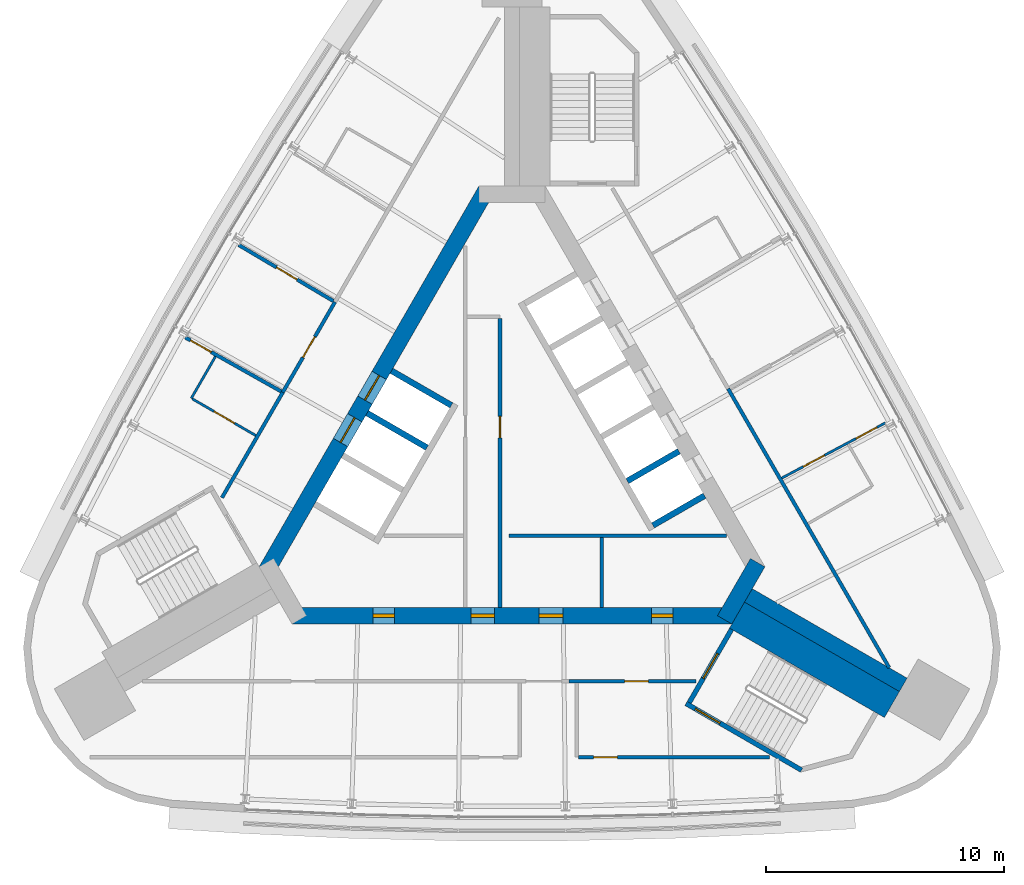
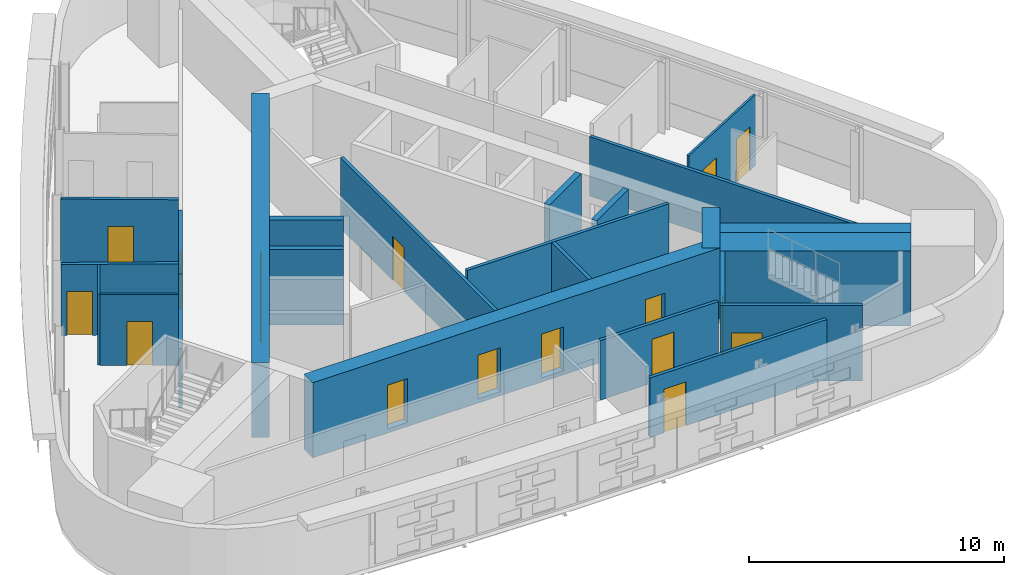
# One storey, part 6 of 9: 24 walls, 17 doors, 17 openings.
"""IFC4 building model written with IfcOpenShell, lengths in metres."""

import ifcopenshell
import ifcopenshell.guid

model = None  # the IFC model being written
_history = None  # IfcOwnerHistory: only IFC2X3 demands one
_inside = {}  # id of a spatial element -> (the spatial element, [elements in it])
_under = {}  # id of a project, library or spatial element -> (it, [spatial elements below it])
_declared = {}  # id of a project -> (the project, [libraries it declares])
_typed = {}  # id of a type object -> (the type object, [elements of that type])
_made_of = {}  # id of a material, layer set ... -> (it, [elements and type objects made of it])


def new_model(schema):
    """Start an empty IFC model of exactly this schema.

    Asked for "IFC4X3", IfcOpenShell would pick the latest addendum, in which some entities
    have other attributes; the version numbers below select the first issue.
    IFC2X3 requires an IfcOwnerHistory on every rooted entity: one is made here for all.
    """
    global model, _history
    if schema == "IFC4X3":
        model = ifcopenshell.file(schema_version=(4, 3, 0, 0))
    else:
        model = ifcopenshell.file(schema=schema)
    _inside.clear()
    _under.clear()
    _declared.clear()
    _typed.clear()
    _made_of.clear()
    _history = None
    if model.schema == "IFC2X3":
        org = make("IfcOrganization", Name="unknown")
        user = make(
            "IfcPersonAndOrganization",
            ThePerson=make("IfcPerson", FamilyName="unknown"),
            TheOrganization=org,
        )
        app = make(
            "IfcApplication",
            ApplicationDeveloper=org,
            Version="unknown",
            ApplicationFullName="unknown",
            ApplicationIdentifier="unknown",
        )
        _history = make(
            "IfcOwnerHistory",
            OwningUser=user,
            OwningApplication=app,
            ChangeAction="ADDED",
            CreationDate=0,
        )
    return model


def make(cls, **values):
    """One entity of the class cls with the attributes given. An attribute that is None is left unset."""
    return model.create_entity(
        cls, **{name: value for name, value in values.items() if value is not None}
    )


def rooted(cls, **values):
    """An entity with a GlobalId (a new one), such as an element, a storey or a relation."""
    return make(cls, GlobalId=ifcopenshell.guid.new(), OwnerHistory=_history, **values)


def si_unit(unit_type, name, prefix=None):
    """IfcSIUnit, for example si_unit("LENGTHUNIT", "METRE", prefix="MILLI")."""
    return make("IfcSIUnit", UnitType=unit_type, Prefix=prefix, Name=name)


def assignment(units):
    """IfcUnitAssignment: the units of a project."""
    return None if units is None else make("IfcUnitAssignment", Units=units)


def point(xyz):
    """IfcCartesianPoint."""
    return None if xyz is None else make("IfcCartesianPoint", Coordinates=xyz)


def direction(xyz):
    """IfcDirection."""
    return None if xyz is None else make("IfcDirection", DirectionRatios=xyz)


def frame(location, z_axis=None, x_axis=None):
    """IfcAxis2Placement3D, a coordinate frame: its origin and axes. An axis left out is left unset."""
    return make(
        "IfcAxis2Placement3D",
        Location=point(location),
        Axis=direction(z_axis),
        RefDirection=direction(x_axis),
    )


def frame_2d(location, x_axis=None):
    """IfcAxis2Placement2D, a coordinate frame in the plane: its origin and x axis."""
    return make(
        "IfcAxis2Placement2D", Location=point(location), RefDirection=direction(x_axis)
    )


def origin():
    """The frame at (0, 0, 0) with its axes left unset."""
    return frame((0.0, 0.0, 0.0))


def place(relative_to, where):
    """IfcLocalPlacement: puts the frame where relative to a parent placement (None: the world)."""
    return make(
        "IfcLocalPlacement", PlacementRelTo=relative_to, RelativePlacement=where
    )


def context(
    kind, dimensions, precision=None, world=None, true_north=None, identifier=None
):
    """IfcGeometricRepresentationContext, for example the 3D "Model" context."""
    return make(
        "IfcGeometricRepresentationContext",
        ContextIdentifier=identifier,
        ContextType=kind,
        CoordinateSpaceDimension=dimensions,
        Precision=precision,
        WorldCoordinateSystem=world,
        TrueNorth=true_north,
    )


def subcontext(parent, identifier, kind, view, scale=None):
    """IfcGeometricRepresentationSubContext, for example "Body" below "Model"."""
    return make(
        "IfcGeometricRepresentationSubContext",
        ContextIdentifier=identifier,
        ContextType=kind,
        ParentContext=parent,
        TargetScale=scale,
        TargetView=view,
    )


def project(units=None, contexts=None):
    """IfcProject with its units and contexts."""
    return rooted(
        "IfcProject",
        Name="project",
        RepresentationContexts=contexts,
        UnitsInContext=assignment(units),
    )


def spatial(cls, under=None, at=None, **own):
    """A site, building, storey or space (cls), placed at a placement, below another one or the project."""
    s = rooted(cls, ObjectPlacement=at, **own)
    if under is not None:
        _under.setdefault(under.id(), (under, []))[1].append(s)
    return s


def profile(cls, at=None, kind="AREA", **sizes):
    """A parametric profile (cls). Its sizes go by their IFC names, for example OverallWidth=200.0."""
    return make(cls, ProfileType=kind, Position=at, **sizes)


def rectangle(**sizes):
    """IfcRectangleProfileDef."""
    return profile("IfcRectangleProfileDef", **sizes)


def extrude(swept, where, along, depth):
    """IfcExtrudedAreaSolid: the profile swept, set in the frame where, extruded along a direction by depth."""
    return make(
        "IfcExtrudedAreaSolid",
        SweptArea=swept,
        Position=where,
        ExtrudedDirection=direction(along),
        Depth=depth,
    )


def shape(context_of_items, identifier, shape_type, items):
    """IfcShapeRepresentation: the items that make up one representation, for example the "Body"."""
    return make(
        "IfcShapeRepresentation",
        ContextOfItems=context_of_items,
        RepresentationIdentifier=identifier,
        RepresentationType=shape_type,
        Items=items,
    )


def material(Name=None, Category=None):
    """IfcMaterial."""
    return make("IfcMaterial", Name=Name, Category=Category)


def layer(
    of_material, thickness, ventilated=None, Name=None, Category=None, Priority=None
):
    """IfcMaterialLayer: one layer of a wall or slab, of a material (None: an air gap)."""
    return make(
        "IfcMaterialLayer",
        Material=of_material,
        LayerThickness=thickness,
        IsVentilated=ventilated,
        Name=Name,
        Category=Category,
        Priority=Priority,
    )


def layer_set(layers, Name=None):
    """IfcMaterialLayerSet."""
    return make("IfcMaterialLayerSet", MaterialLayers=layers, LayerSetName=Name)


def made_of(thing, what):
    """Note that an element or type object is made of a material, layer set ...; save() writes the relation."""
    if what is not None:
        _made_of.setdefault(what.id(), (what, []))[1].append(thing)
    return thing


def type_object(cls, material=None, **own):
    """A type object (cls), such as IfcWallType, which elements share."""
    return made_of(rooted(cls, **own), material)


def element(
    cls,
    number,
    at=None,
    inside=None,
    cuts=None,
    type_object=None,
    material=None,
    context=None,
    identifier="Body",
    shape_type=None,
    held_by="IfcProductDefinitionShape",
    body=None,
    shapes=None,
    **own,
):
    """One element of the class cls, such as IfcWall. Its Tag is "e" and its number.

    at: its placement. inside: the storey or other place that contains it. cuts: it is an
    opening in that element (IfcRelVoidsElement). A single representation is given by context,
    identifier, shape_type and body (its items); several are given by shapes. held_by: the class
    of the entity that holds the representations. save() writes the other relations.
    """
    e = rooted(cls, Tag="e%d" % number, ObjectPlacement=at, **own)
    if body is not None:
        shapes = [shape(context, identifier, shape_type, body)]
    if shapes is not None:
        e.Representation = make(held_by, Representations=shapes)
    if inside is not None:
        _inside.setdefault(inside.id(), (inside, []))[1].append(e)
    if cuts is not None:
        rooted(
            "IfcRelVoidsElement", RelatingBuildingElement=cuts, RelatedOpeningElement=e
        )
    if type_object is not None:
        _typed.setdefault(type_object.id(), (type_object, []))[1].append(e)
    return made_of(e, material)


def fill(opening, filler):
    """IfcRelFillsElement: the door or window that sits in an opening."""
    return rooted(
        "IfcRelFillsElement",
        RelatingOpeningElement=opening,
        RelatedBuildingElement=filler,
    )


def aggregate(whole, parts):
    """IfcRelAggregates: a whole, such as a stair, and the parts it consists of."""
    return rooted("IfcRelAggregates", RelatingObject=whole, RelatedObjects=parts)


def save(model, path):
    """Write the relations noted so far, then the file.

    IfcRelAggregates (storeys below a building ...), IfcRelContainedInSpatialStructure (elements
    in a storey), IfcRelDefinesByType, IfcRelAssociatesMaterial and IfcRelDeclares: one each for
    every whole, place, type object, material and project.
    """
    for whole, parts in _under.values():
        aggregate(whole, parts)
    for where, things in _inside.values():
        rooted(
            "IfcRelContainedInSpatialStructure",
            RelatedElements=things,
            RelatingStructure=where,
        )
    for kind, things in _typed.values():
        rooted("IfcRelDefinesByType", RelatedObjects=things, RelatingType=kind)
    for what, things in _made_of.values():
        rooted("IfcRelAssociatesMaterial", RelatedObjects=things, RelatingMaterial=what)
    for by, libraries in _declared.values():
        rooted("IfcRelDeclares", RelatingContext=by, RelatedDefinitions=libraries)
    model.write(path)


model = new_model("IFC4")

# Units and contexts
model_context = context("Model", 3, precision=1e-05, world=origin(), true_north=direction((0.0, 1.0)))
body_context = subcontext(model_context, "Body", "Model", "MODEL_VIEW")
ifc_project = project(units=[si_unit("LENGTHUNIT", "METRE"), si_unit("AREAUNIT", "SQUARE_METRE"), si_unit("VOLUMEUNIT", "CUBIC_METRE"), si_unit("PLANEANGLEUNIT", "RADIAN"), si_unit("MASSUNIT", "GRAM", prefix="KILO")], contexts=[model_context])

# Site, building, storey
site_placement = place(None, origin())
site = spatial("IfcSite", under=ifc_project, at=site_placement, CompositionType="ELEMENT")
building_placement = place(site_placement, origin())
building = spatial("IfcBuilding", under=site, at=building_placement, Name="Noor Cloister Tower", CompositionType="ELEMENT")
storey_placement = place(building_placement, frame((0.0, 0.0, 232.800048828125)))
storey = spatial("IfcBuildingStorey", under=building, at=storey_placement, Name="L60", CompositionType="ELEMENT", Elevation=232.800048828125)

# Wall
ifc_material_1 = material(Name="Concrete C60/75", Category="concrete")
ifc_layer_1 = layer(ifc_material_1, 0.64990234375)
ifc_layer_set_1 = layer_set([ifc_layer_1], Name="Buttress wall 650 C60/75")
wall_type_1 = type_object("IfcWallType", Name="Buttress wall 650 C60/75", PredefinedType="SHEAR", material=ifc_layer_set_1)
wall_1_placement = place(storey_placement, frame((9.921630859375, -5.728271484375, -0.199951171875), z_axis=(0.0, 0.0, 1.0), x_axis=(0.866026891245, -0.499997423634, 0.0)))
element("IfcWall", 1, at=wall_1_placement, inside=storey, type_object=wall_type_1, Name="Buttress wall SE L60", PredefinedType="SHEAR", context=body_context, shape_type="SweptSolid", body=[
    extrude(rectangle(XDim=7.50634765625, YDim=0.64990234375, at=frame_2d((3.753173828125, 0.0))), origin(), (0.0, 0.0, 1.0), 3.599853515625),
])

# Wall, opening, door
ifc_material_2 = material(Name="Concrete C30/37", Category="concrete")
ifc_layer_2 = layer(ifc_material_2, 0.14990234375)
ifc_layer_set_2 = layer_set([ifc_layer_2], Name="Core partition 150 C30/37")
wall_type_2 = type_object("IfcWallType", Name="Core partition 150 C30/37", PredefinedType="PARTITIONING", material=ifc_layer_set_2)
wall_2_placement = place(storey_placement, frame((-0.503662109375, 5.896728515625, 0.0), z_axis=(0.0, 0.0, 1.0), x_axis=(0.0, -1.0, 0.0)))
wall_2 = element("IfcWall", 2, at=wall_2_placement, inside=storey, type_object=wall_type_2, Name="Core room partition L60 4", PredefinedType="PARTITIONING", context=body_context, shape_type="SweptSolid", body=[
    extrude(rectangle(XDim=12.125, YDim=0.14990234375, at=frame_2d((6.0625, 0.0))), origin(), (0.0, 0.0, 1.0), 3.39990234375),
])
opening_1_placement = place(wall_2_placement, frame((4.113525390625, 0.0, 0.0)))
opening_1 = element("IfcOpeningElement", 3, at=opening_1_placement, cuts=wall_2, Name="Opening L60-906", PredefinedType="OPENING", context=body_context, shape_type="SweptSolid", body=[
    extrude(rectangle(XDim=0.89990234375, YDim=2.10009765625, at=frame_2d((0.449951171875, 1.050048828125))), frame((0.0, 0.0849609375, 0.0), z_axis=(0.0, -1.0, 0.0), x_axis=(1.0, 0.0, 0.0)), (0.0, 0.0, 1.0), 0.169921875),
])
ifc_material_3 = material(Name="Steel", Category="steel")
door_type_1 = type_object("IfcDoorType", Name="Core door 900 x 2100 FD60", OperationType="SINGLE_SWING_LEFT", PredefinedType="DOOR", material=ifc_material_3)
door_1_placement = place(opening_1_placement, origin())
door_1 = element("IfcDoor", 4, at=door_1_placement, inside=storey, type_object=door_type_1, Name="Core door 6 L60", OperationType="SINGLE_SWING_RIGHT", OverallHeight=2.10009765625, OverallWidth=0.89990234375, PredefinedType="DOOR", context=body_context, shape_type="SweptSolid", body=[
    extrude(rectangle(XDim=0.89990234375, YDim=2.10009765625, at=frame_2d((0.449951171875, 1.050048828125))), frame((0.0, 0.02490234375, 0.0), z_axis=(0.0, -1.0, 0.0), x_axis=(1.0, 0.0, 0.0)), (0.0, 0.0, 1.0), 0.050048828125),
])
fill(opening_1, door_1)

# Walls
wall_3_placement = place(storey_placement, frame((-0.128662109375, -3.228271484375, 0.0), z_axis=(0.0, 0.0, 1.0), x_axis=(1.0, 0.0, 0.0)))
element("IfcWall", 5, at=wall_3_placement, inside=storey, type_object=wall_type_2, Name="Core room partition L60 5", PredefinedType="PARTITIONING", context=body_context, shape_type="SweptSolid", body=[
    extrude(rectangle(XDim=9.13916015625, YDim=0.14990234375, at=frame_2d((4.569580078125, 0.0))), origin(), (0.0, 0.0, 1.0), 3.39990234375),
])
wall_4_placement = place(storey_placement, frame((3.771240234375, -3.30322265625, 0.0), z_axis=(0.0, 0.0, 1.0), x_axis=(0.0, -1.0, 0.0)))
element("IfcWall", 6, at=wall_4_placement, inside=storey, type_object=wall_type_2, Name="Core room partition L60 6", PredefinedType="PARTITIONING", context=body_context, shape_type="SweptSolid", body=[
    extrude(rectangle(XDim=2.925048828125, YDim=0.14990234375, at=frame_2d((1.46240234375, 0.0))), origin(), (0.0, 0.0, 1.0), 3.39990234375),
])

# Wall, openings, doors
ifc_material_4 = material(Name="Concrete C60/75", Category="concrete")
ifc_layer_3 = layer(ifc_material_4, 0.699951171875)
ifc_layer_set_3 = layer_set([ifc_layer_3], Name="Core wall 700 C60/75")
wall_type_3 = type_object("IfcWallType", Name="Core wall 700 C60/75", PredefinedType="SHEAR", material=ifc_layer_set_3)
wall_5_placement = place(storey_placement, frame((-9.228759765625, -6.578125, -0.199951171875), z_axis=(0.0, 0.0, 1.0), x_axis=(1.0, 0.0, 0.0)))
wall_5 = element("IfcWall", 7, at=wall_5_placement, inside=storey, type_object=wall_type_3, Name="Core wall L60 1", PredefinedType="SHEAR", context=body_context, shape_type="SweptSolid", body=[
    extrude(rectangle(XDim=18.45751953125, YDim=0.699951171875, at=frame_2d((9.228759765625, 0.0))), origin(), (0.0, 0.0, 1.0), 3.599853515625),
])
opening_2_placement = place(wall_5_placement, frame((7.5, 0.0, 0.199951171875)))
opening_2 = element("IfcOpeningElement", 8, at=opening_2_placement, cuts=wall_5, Name="Opening L60-901", PredefinedType="OPENING", context=body_context, shape_type="SweptSolid", body=[
    extrude(rectangle(XDim=1.0, YDim=2.10009765625, at=frame_2d((0.5, 1.050048828125))), frame((0.0, 0.35986328125, 0.0), z_axis=(0.0, -1.0, 0.0), x_axis=(1.0, 0.0, 0.0)), (0.0, 0.0, 1.0), 0.719970703125),
])
opening_3_placement = place(wall_5_placement, frame((3.389404296875, 0.0, 0.199951171875)))
opening_3 = element("IfcOpeningElement", 9, at=opening_3_placement, cuts=wall_5, Name="Opening L60-902", PredefinedType="OPENING", context=body_context, shape_type="SweptSolid", body=[
    extrude(rectangle(XDim=0.89990234375, YDim=2.10009765625, at=frame_2d((0.449951171875, 1.050048828125))), frame((0.0, 0.35986328125, 0.0), z_axis=(0.0, -1.0, 0.0), x_axis=(1.0, 0.0, 0.0)), (0.0, 0.0, 1.0), 0.719970703125),
])
opening_4_placement = place(wall_5_placement, frame((10.362548828125, 0.0, 0.199951171875)))
opening_4 = element("IfcOpeningElement", 10, at=opening_4_placement, cuts=wall_5, Name="Opening L60-903", PredefinedType="OPENING", context=body_context, shape_type="SweptSolid", body=[
    extrude(rectangle(XDim=1.0, YDim=2.10009765625, at=frame_2d((0.5, 1.050048828125))), frame((0.0, 0.35986328125, 0.0), z_axis=(0.0, -1.0, 0.0), x_axis=(1.0, 0.0, 0.0)), (0.0, 0.0, 1.0), 0.719970703125),
])
opening_5_placement = place(wall_5_placement, frame((15.07666015625, 0.0, 0.199951171875)))
opening_5 = element("IfcOpeningElement", 11, at=opening_5_placement, cuts=wall_5, Name="Opening L60-904", PredefinedType="OPENING", context=body_context, shape_type="SweptSolid", body=[
    extrude(rectangle(XDim=0.89990234375, YDim=2.10009765625, at=frame_2d((0.449951171875, 1.050048828125))), frame((0.0, 0.35986328125, 0.0), z_axis=(0.0, -1.0, 0.0), x_axis=(1.0, 0.0, 0.0)), (0.0, 0.0, 1.0), 0.719970703125),
])
ifc_material_5 = material(Name="Steel", Category="steel")
door_type_2 = type_object("IfcDoorType", Name="Core door 1000 x 2100 FD120", OperationType="SINGLE_SWING_LEFT", PredefinedType="DOOR", material=ifc_material_5)
door_2_placement = place(opening_2_placement, origin())
door_2 = element("IfcDoor", 12, at=door_2_placement, inside=storey, type_object=door_type_2, Name="Core door 1 L60", OperationType="SINGLE_SWING_LEFT", OverallHeight=2.10009765625, OverallWidth=1.0, PredefinedType="DOOR", context=body_context, shape_type="SweptSolid", body=[
    extrude(rectangle(XDim=1.0, YDim=2.10009765625, at=frame_2d((0.5, 1.050048828125))), frame((0.0, 0.074951171875, 0.0), z_axis=(0.0, -1.0, 0.0), x_axis=(1.0, 0.0, 0.0)), (0.0, 0.0, 1.0), 0.14990234375),
])
fill(opening_2, door_2)
ifc_material_6 = material(Name="Steel", Category="steel")
door_type_3 = type_object("IfcDoorType", Name="Core door 1000 x 2100 FD60", OperationType="SINGLE_SWING_LEFT", PredefinedType="DOOR", material=ifc_material_6)
door_3_placement = place(opening_4_placement, origin())
door_3 = element("IfcDoor", 13, at=door_3_placement, inside=storey, type_object=door_type_3, Name="Core door 3 L60", OperationType="SINGLE_SWING_LEFT", OverallHeight=2.10009765625, OverallWidth=1.0, PredefinedType="DOOR", context=body_context, shape_type="SweptSolid", body=[
    extrude(rectangle(XDim=1.0, YDim=2.10009765625, at=frame_2d((0.5, 1.050048828125))), frame((0.0, 0.074951171875, 0.0), z_axis=(0.0, -1.0, 0.0), x_axis=(1.0, 0.0, 0.0)), (0.0, 0.0, 1.0), 0.14990234375),
])
fill(opening_4, door_3)
ifc_material_7 = material(Name="Steel", Category="steel")
door_type_4 = type_object("IfcDoorType", Name="Core door 900 x 2100 FD120", OperationType="SINGLE_SWING_LEFT", PredefinedType="DOOR", material=ifc_material_7)
door_4_placement = place(opening_3_placement, origin())
door_4 = element("IfcDoor", 14, at=door_4_placement, inside=storey, type_object=door_type_4, Name="Core door 2 L60", OperationType="SINGLE_SWING_RIGHT", OverallHeight=2.10009765625, OverallWidth=0.89990234375, PredefinedType="DOOR", context=body_context, shape_type="SweptSolid", body=[
    extrude(rectangle(XDim=0.89990234375, YDim=2.10009765625, at=frame_2d((0.449951171875, 1.050048828125))), frame((0.0, 0.074951171875, 0.0), z_axis=(0.0, -1.0, 0.0), x_axis=(1.0, 0.0, 0.0)), (0.0, 0.0, 1.0), 0.14990234375),
])
fill(opening_3, door_4)
door_5_placement = place(opening_5_placement, origin())
door_5 = element("IfcDoor", 15, at=door_5_placement, inside=storey, type_object=door_type_1, Name="Core door 4 L60", OperationType="SINGLE_SWING_RIGHT", OverallHeight=2.10009765625, OverallWidth=0.89990234375, PredefinedType="DOOR", context=body_context, shape_type="SweptSolid", body=[
    extrude(rectangle(XDim=0.89990234375, YDim=2.10009765625, at=frame_2d((0.449951171875, 1.050048828125))), frame((0.0, 0.074951171875, 0.0), z_axis=(0.0, -1.0, 0.0), x_axis=(1.0, 0.0, 0.0)), (0.0, 0.0, 1.0), 0.14990234375),
])
fill(opening_5, door_5)

# Wall
wall_6_placement = place(storey_placement, frame((8.925537109375, -6.753173828125, -0.199951171875), z_axis=(0.0, 0.0, 1.0), x_axis=(0.500042739161, 0.866000726912, 0.0)))
element("IfcWall", 16, at=wall_6_placement, inside=storey, type_object=wall_type_3, Name="Core wall L60 2", PredefinedType="SHEAR", context=body_context, shape_type="SweptSolid", body=[
    extrude(rectangle(XDim=2.771240234375, YDim=0.699951171875, at=frame_2d((1.3857421875, 0.0))), origin(), (0.0, 0.0, 1.0), 3.599853515625),
])

# Wall, openings, doors
wall_7_placement = place(storey_placement, frame((-1.08251953125, 11.281494140625, -0.199951171875), z_axis=(0.0, 0.0, 1.0), x_axis=(-0.500001446645, -0.866024568562, 0.0)))
wall_7 = element("IfcWall", 17, at=wall_7_placement, inside=storey, type_object=wall_type_3, Name="Core wall L60 5", PredefinedType="SHEAR", context=body_context, shape_type="SweptSolid", body=[
    extrude(rectangle(XDim=18.45751953125, YDim=0.699951171875, at=frame_2d((9.228759765625, 0.0))), origin(), (0.0, 0.0, 1.0), 3.599853515625),
])
opening_6_placement = place(wall_7_placement, frame((8.978759765625, 0.0, 0.199951171875)))
opening_6 = element("IfcOpeningElement", 18, at=opening_6_placement, cuts=wall_7, Name="Opening L60-FF1", PredefinedType="OPENING", context=body_context, shape_type="SweptSolid", body=[
    extrude(rectangle(XDim=1.199951171875, YDim=2.10009765625, at=frame_2d((0.60009765625, 1.050048828125))), frame((0.0, 0.35986328125, 0.0), z_axis=(0.0, -1.0, 0.0), x_axis=(1.0, 0.0, 0.0)), (0.0, 0.0, 1.0), 0.719970703125),
])
opening_7_placement = place(wall_7_placement, frame((11.02880859375, 0.0, 0.199951171875)))
opening_7 = element("IfcOpeningElement", 19, at=opening_7_placement, cuts=wall_7, Name="Opening L60-FF2", PredefinedType="OPENING", context=body_context, shape_type="SweptSolid", body=[
    extrude(rectangle(XDim=1.199951171875, YDim=2.10009765625, at=frame_2d((0.60009765625, 1.050048828125))), frame((0.0, 0.35986328125, 0.0), z_axis=(0.0, -1.0, 0.0), x_axis=(1.0, 0.0, 0.0)), (0.0, 0.0, 1.0), 0.719970703125),
])
ifc_material_8 = material(Name="Stainless steel", Category="steel")
door_type_5 = type_object("IfcDoorType", Name="Lift landing door 1200 x 2100", OperationType="DOUBLE_DOOR_SLIDING", PredefinedType="DOOR", material=ifc_material_8)
door_6_placement = place(opening_6_placement, origin())
door_6 = element("IfcDoor", 20, at=door_6_placement, inside=storey, type_object=door_type_5, Name="Landing door FF1 L60", OperationType="DOUBLE_DOOR_SLIDING", OverallHeight=2.10009765625, OverallWidth=1.199951171875, PredefinedType="DOOR", context=body_context, shape_type="SweptSolid", body=[
    extrude(rectangle(XDim=1.199951171875, YDim=2.10009765625, at=frame_2d((0.60009765625, 1.050048828125))), frame((0.0, 0.02490234375, 0.0), z_axis=(0.0, -1.0, 0.0), x_axis=(1.0, 0.0, 0.0)), (0.0, 0.0, 1.0), 0.050048828125),
])
fill(opening_6, door_6)
door_7_placement = place(opening_7_placement, origin())
door_7 = element("IfcDoor", 21, at=door_7_placement, inside=storey, type_object=door_type_5, Name="Landing door FF2 L60", OperationType="DOUBLE_DOOR_SLIDING", OverallHeight=2.10009765625, OverallWidth=1.199951171875, PredefinedType="DOOR", context=body_context, shape_type="SweptSolid", body=[
    extrude(rectangle(XDim=1.199951171875, YDim=2.10009765625, at=frame_2d((0.60009765625, 1.050048828125))), frame((0.0, 0.02490234375, 0.0), z_axis=(0.0, -1.0, 0.0), x_axis=(1.0, 0.0, 0.0)), (0.0, 0.0, 1.0), 0.050048828125),
])
fill(opening_7, door_7)

# Wall
ifc_material_9 = material(Name="Fire-rated gypsum board partition on steel studs, 150 mm", Category="steel")
ifc_layer_4 = layer(ifc_material_9, 0.14990234375)
ifc_layer_set_4 = layer_set([ifc_layer_4], Name="Fire lobby wall 150")
wall_type_4 = type_object("IfcWallType", Name="Fire lobby wall 150", PredefinedType="PARTITIONING", material=ifc_layer_set_4)
wall_8_placement = place(storey_placement, frame((-9.619384765625, 2.79541015625, 0.0), z_axis=(0.0, 0.0, 1.0), x_axis=(-0.499963809755, -0.866046297224, 0.0)))
element("IfcWall", 22, at=wall_8_placement, inside=storey, type_object=wall_type_4, Name="Wall L60-W19", PredefinedType="PARTITIONING", context=body_context, shape_type="SweptSolid", body=[
    extrude(rectangle(XDim=5.10791015625, YDim=0.14990234375, at=frame_2d((2.553955078125, 0.0))), origin(), (0.0, 0.0, 1.0), 2.85205078125),
])

# Wall, opening, door
wall_9_placement = place(storey_placement, frame((-7.430419921875, 6.58642578125, 0.0), z_axis=(0.0, 0.0, 1.0), x_axis=(-0.500037854553, -0.866003547345, 0.0)))
wall_9 = element("IfcWall", 23, at=wall_9_placement, inside=storey, type_object=wall_type_4, Name="Wall L60-W22", PredefinedType="PARTITIONING", context=body_context, shape_type="SweptSolid", body=[
    extrude(rectangle(XDim=4.377685546875, YDim=0.14990234375, at=frame_2d((2.18896484375, 0.0))), origin(), (0.0, 0.0, 1.0), 2.85205078125),
])
opening_8_placement = place(wall_9_placement, frame((1.688720703125, 0.0, 0.0)))
opening_8 = element("IfcOpeningElement", 24, at=opening_8_placement, cuts=wall_9, Name="Opening L60-012", PredefinedType="OPENING", context=body_context, shape_type="SweptSolid", body=[
    extrude(rectangle(XDim=1.0, YDim=2.10009765625, at=frame_2d((0.5, 1.050048828125))), frame((0.0, 0.0849609375, 0.0), z_axis=(0.0, -1.0, 0.0), x_axis=(1.0, 0.0, 0.0)), (0.0, 0.0, 1.0), 0.169921875),
])
ifc_material_10 = material(Name="Timber door leaf with steel frame", Category="steel")
door_type_6 = type_object("IfcDoorType", Name="Fire lobby door 1000", OperationType="NOTDEFINED", PredefinedType="DOOR", material=ifc_material_10)
door_8_placement = place(opening_8_placement, origin())
door_8 = element("IfcDoor", 25, at=door_8_placement, inside=storey, type_object=door_type_6, Name="Door L60-012", OperationType="SINGLE_SWING_RIGHT", OverallHeight=2.10009765625, OverallWidth=1.0, PredefinedType="DOOR", context=body_context, shape_type="SweptSolid", body=[
    extrude(rectangle(XDim=1.0, YDim=2.10009765625, at=frame_2d((0.5, 1.050048828125))), frame((0.0, 0.02490234375, 0.0), z_axis=(0.0, -1.0, 0.0), x_axis=(1.0, 0.0, 0.0)), (0.0, 0.0, 1.0), 0.050048828125),
])
fill(opening_8, door_8)

# Wall
ifc_material_11 = material(Name="Gypsum board partition on steel studs, 150 mm", Category="steel")
ifc_layer_5 = layer(ifc_material_11, 0.14990234375)
ifc_layer_set_5 = layer_set([ifc_layer_5], Name="Flat wall 150")
wall_type_5 = type_object("IfcWallType", Name="Flat wall 150", PredefinedType="PARTITIONING", material=ifc_layer_set_5)
wall_10_placement = place(storey_placement, frame((15.83203125, -8.765380859375, 0.0), z_axis=(0.0, 0.0, 1.0), x_axis=(-0.500008967739, 0.866020226196, 0.0)))
element("IfcWall", 26, at=wall_10_placement, inside=storey, type_object=wall_type_5, Name="Wall L60-W01", PredefinedType="PARTITIONING", context=body_context, shape_type="SweptSolid", body=[
    extrude(rectangle(XDim=13.522705078125, YDim=0.14990234375, at=frame_2d((6.76123046875, 0.0))), origin(), (0.0, 0.0, 1.0), 2.85205078125),
])

# Wall, opening, door
wall_11_placement = place(storey_placement, frame((2.38427734375, -9.328125, 0.0), z_axis=(0.0, 0.0, 1.0), x_axis=(1.0, 0.0, 0.0)))
wall_11 = element("IfcWall", 27, at=wall_11_placement, inside=storey, type_object=wall_type_5, Name="Wall L60-W12", PredefinedType="PARTITIONING", context=body_context, shape_type="SweptSolid", body=[
    extrude(rectangle(XDim=5.34326171875, YDim=0.14990234375, at=frame_2d((2.671630859375, 0.0))), origin(), (0.0, 0.0, 1.0), 2.85205078125),
])
opening_9_placement = place(wall_11_placement, frame((2.340576171875, 0.0, 0.0)))
opening_9 = element("IfcOpeningElement", 28, at=opening_9_placement, cuts=wall_11, Name="Opening L60-011", PredefinedType="OPENING", context=body_context, shape_type="SweptSolid", body=[
    extrude(rectangle(XDim=1.0, YDim=2.10009765625, at=frame_2d((0.5, 1.050048828125))), frame((0.0, 0.0849609375, 0.0), z_axis=(0.0, -1.0, 0.0), x_axis=(1.0, 0.0, 0.0)), (0.0, 0.0, 1.0), 0.169921875),
])
ifc_material_12 = material(Name="Timber door leaf with steel frame", Category="steel")
door_type_7 = type_object("IfcDoorType", Name="Interior door 1000 FD60", OperationType="NOTDEFINED", PredefinedType="DOOR", material=ifc_material_12)
door_9_placement = place(opening_9_placement, origin())
door_9 = element("IfcDoor", 29, at=door_9_placement, inside=storey, type_object=door_type_7, Name="Door L60-011", OperationType="SINGLE_SWING_LEFT", OverallHeight=2.10009765625, OverallWidth=1.0, PredefinedType="DOOR", context=body_context, shape_type="SweptSolid", body=[
    extrude(rectangle(XDim=1.0, YDim=2.10009765625, at=frame_2d((0.5, 1.050048828125))), frame((0.0, 0.02490234375, 0.0), z_axis=(0.0, -1.0, 0.0), x_axis=(1.0, 0.0, 0.0)), (0.0, 0.0, 1.0), 0.050048828125),
])
fill(opening_9, door_9)

wall_12_placement = place(storey_placement, frame((2.796875, -12.51708984375, 0.0), z_axis=(0.0, 0.0, 1.0), x_axis=(1.0, 0.0, 0.0)))
wall_12 = element("IfcWall", 30, at=wall_12_placement, inside=storey, type_object=wall_type_5, Name="Wall L60-W17", PredefinedType="PARTITIONING", context=body_context, shape_type="SweptSolid", body=[
    extrude(rectangle(XDim=8.011962890625, YDim=0.14990234375, at=frame_2d((4.005859375, 0.0))), origin(), (0.0, 0.0, 1.0), 2.85205078125),
])
opening_10_placement = place(wall_12_placement, frame((0.625, 0.0, 0.0)))
opening_10 = element("IfcOpeningElement", 31, at=opening_10_placement, cuts=wall_12, Name="Opening L60-010", PredefinedType="OPENING", context=body_context, shape_type="SweptSolid", body=[
    extrude(rectangle(XDim=1.0, YDim=2.10009765625, at=frame_2d((0.5, 1.050048828125))), frame((0.0, 0.0849609375, 0.0), z_axis=(0.0, -1.0, 0.0), x_axis=(1.0, 0.0, 0.0)), (0.0, 0.0, 1.0), 0.169921875),
])
door_10_placement = place(opening_10_placement, origin())
door_10 = element("IfcDoor", 32, at=door_10_placement, inside=storey, type_object=door_type_7, Name="Door L60-010", OperationType="SINGLE_SWING_RIGHT", OverallHeight=2.10009765625, OverallWidth=1.0, PredefinedType="DOOR", context=body_context, shape_type="SweptSolid", body=[
    extrude(rectangle(XDim=1.0, YDim=2.10009765625, at=frame_2d((0.5, 1.050048828125))), frame((0.0, 0.02490234375, 0.0), z_axis=(0.0, -1.0, 0.0), x_axis=(1.0, 0.0, 0.0)), (0.0, 0.0, 1.0), 0.050048828125),
])
fill(opening_10, door_10)

wall_13_placement = place(storey_placement, frame((-11.47216796875, 8.981201171875, 0.0), z_axis=(0.0, 0.0, 1.0), x_axis=(0.860336137803, -0.509727113257, 0.0)))
wall_13 = element("IfcWall", 33, at=wall_13_placement, inside=storey, type_object=wall_type_5, Name="Wall L60-W20", PredefinedType="PARTITIONING", context=body_context, shape_type="SweptSolid", body=[
    extrude(rectangle(XDim=4.623046875, YDim=0.14990234375, at=frame_2d((2.3115234375, 0.0))), origin(), (0.0, 0.0, 1.0), 3.39990234375),
])
opening_11_placement = place(wall_13_placement, frame((1.848876953125, 0.0, 0.0)))
opening_11 = element("IfcOpeningElement", 34, at=opening_11_placement, cuts=wall_13, Name="Opening L60-015", PredefinedType="OPENING", context=body_context, shape_type="SweptSolid", body=[
    extrude(rectangle(XDim=1.0, YDim=2.10009765625, at=frame_2d((0.5, 1.050048828125))), frame((0.0, 0.0849609375, 0.0), z_axis=(0.0, -1.0, 0.0), x_axis=(1.0, 0.0, 0.0)), (0.0, 0.0, 1.0), 0.169921875),
])
ifc_material_13 = material(Name="Timber door leaf with steel frame", Category="steel")
door_type_8 = type_object("IfcDoorType", Name="Flat entrance door 1000", OperationType="NOTDEFINED", PredefinedType="DOOR", material=ifc_material_13)
door_11_placement = place(opening_11_placement, origin())
door_11 = element("IfcDoor", 35, at=door_11_placement, inside=storey, type_object=door_type_8, Name="Door L60-015", OperationType="SINGLE_SWING_LEFT", OverallHeight=2.10009765625, OverallWidth=1.0, PredefinedType="DOOR", context=body_context, shape_type="SweptSolid", body=[
    extrude(rectangle(XDim=1.0, YDim=2.10009765625, at=frame_2d((0.5, 1.050048828125))), frame((0.0, 0.02490234375, 0.0), z_axis=(0.0, -1.0, 0.0), x_axis=(1.0, 0.0, 0.0)), (0.0, 0.0, 1.0), 0.050048828125),
])
fill(opening_11, door_11)

wall_14_placement = place(storey_placement, frame((-13.710205078125, 5.095703125, 0.0), z_axis=(0.0, 0.0, 1.0), x_axis=(0.871644704197, -0.490138255644, 0.0)))
wall_14 = element("IfcWall", 36, at=wall_14_placement, inside=storey, type_object=wall_type_5, Name="Wall L60-W21", PredefinedType="PARTITIONING", context=body_context, shape_type="SweptSolid", body=[
    extrude(rectangle(XDim=4.618408203125, YDim=0.14990234375, at=frame_2d((2.30908203125, 0.0))), origin(), (0.0, 0.0, 1.0), 3.39990234375),
])
opening_12_placement = place(wall_14_placement, frame((0.24658203125, 0.0, 0.0)))
opening_12 = element("IfcOpeningElement", 37, at=opening_12_placement, cuts=wall_14, Name="Opening L60-017", PredefinedType="OPENING", context=body_context, shape_type="SweptSolid", body=[
    extrude(rectangle(XDim=1.0, YDim=2.10009765625, at=frame_2d((0.5, 1.050048828125))), frame((0.0, 0.0849609375, 0.0), z_axis=(0.0, -1.0, 0.0), x_axis=(1.0, 0.0, 0.0)), (0.0, 0.0, 1.0), 0.169921875),
])
door_12_placement = place(opening_12_placement, origin())
door_12 = element("IfcDoor", 38, at=door_12_placement, inside=storey, type_object=door_type_8, Name="Door L60-017", OperationType="SINGLE_SWING_LEFT", OverallHeight=2.10009765625, OverallWidth=1.0, PredefinedType="DOOR", context=body_context, shape_type="SweptSolid", body=[
    extrude(rectangle(XDim=1.0, YDim=2.10009765625, at=frame_2d((0.5, 1.050048828125))), frame((0.0, 0.02490234375, 0.0), z_axis=(0.0, -1.0, 0.0), x_axis=(1.0, 0.0, 0.0)), (0.0, 0.0, 1.0), 0.050048828125),
])
fill(opening_12, door_12)

# Wall, openings, doors
ifc_material_14 = material(Name="Gypsum board partition on steel studs, 100 mm", Category="steel")
ifc_layer_6 = layer(ifc_material_14, 0.10009765625)
ifc_layer_set_6 = layer_set([ifc_layer_6], Name="Partition 100")
wall_type_6 = type_object("IfcWallType", Name="Partition 100", PredefinedType="PARTITIONING", material=ifc_layer_set_6)
wall_15_placement = place(storey_placement, frame((15.671630859375, 1.513671875, 0.0), z_axis=(0.0, 0.0, 1.0), x_axis=(-0.882503735513, -0.47030538675, 0.0)))
wall_15 = element("IfcWall", 39, at=wall_15_placement, inside=storey, type_object=wall_type_6, Name="Wall L60-W06", PredefinedType="PARTITIONING", context=body_context, shape_type="SweptSolid", body=[
    extrude(rectangle(XDim=4.928466796875, YDim=0.10009765625, at=frame_2d((2.46435546875, 0.0))), origin(), (0.0, 0.0, 1.0), 3.39990234375),
])
opening_13_placement = place(wall_15_placement, frame((0.40087890625, 0.0, 0.0)))
opening_13 = element("IfcOpeningElement", 40, at=opening_13_placement, cuts=wall_15, Name="Opening L60-002", PredefinedType="OPENING", context=body_context, shape_type="SweptSolid", body=[
    extrude(rectangle(XDim=1.0, YDim=2.10009765625, at=frame_2d((0.5, 1.050048828125))), frame((0.0, 0.06005859375, 0.0), z_axis=(0.0, -1.0, 0.0), x_axis=(1.0, 0.0, 0.0)), (0.0, 0.0, 1.0), 0.1201171875),
])
opening_14_placement = place(wall_15_placement, frame((2.902587890625, 0.0, 0.0)))
opening_14 = element("IfcOpeningElement", 41, at=opening_14_placement, cuts=wall_15, Name="Opening L60-003", PredefinedType="OPENING", context=body_context, shape_type="SweptSolid", body=[
    extrude(rectangle(XDim=1.0, YDim=2.10009765625, at=frame_2d((0.5, 1.050048828125))), frame((0.0, 0.06005859375, 0.0), z_axis=(0.0, -1.0, 0.0), x_axis=(1.0, 0.0, 0.0)), (0.0, 0.0, 1.0), 0.1201171875),
])
ifc_material_15 = material(Name="Timber door leaf with steel frame", Category="steel")
door_type_9 = type_object("IfcDoorType", Name="Interior door 1000", OperationType="NOTDEFINED", PredefinedType="DOOR", material=ifc_material_15)
door_13_placement = place(opening_13_placement, origin())
door_13 = element("IfcDoor", 42, at=door_13_placement, inside=storey, type_object=door_type_9, Name="Door L60-002", OperationType="SINGLE_SWING_RIGHT", OverallHeight=2.10009765625, OverallWidth=1.0, PredefinedType="DOOR", context=body_context, shape_type="SweptSolid", body=[
    extrude(rectangle(XDim=1.0, YDim=2.10009765625, at=frame_2d((0.5, 1.050048828125))), frame((0.0, 0.02490234375, 0.0), z_axis=(0.0, -1.0, 0.0), x_axis=(1.0, 0.0, 0.0)), (0.0, 0.0, 1.0), 0.050048828125),
])
fill(opening_13, door_13)
door_14_placement = place(opening_14_placement, origin())
door_14 = element("IfcDoor", 43, at=door_14_placement, inside=storey, type_object=door_type_9, Name="Door L60-003", OperationType="SINGLE_SWING_LEFT", OverallHeight=2.10009765625, OverallWidth=1.0, PredefinedType="DOOR", context=body_context, shape_type="SweptSolid", body=[
    extrude(rectangle(XDim=1.0, YDim=2.10009765625, at=frame_2d((0.5, 1.050048828125))), frame((0.0, 0.02490234375, 0.0), z_axis=(0.0, -1.0, 0.0), x_axis=(1.0, 0.0, 0.0)), (0.0, 0.0, 1.0), 0.050048828125),
])
fill(opening_14, door_14)

# Wall
wall_16_placement = place(storey_placement, frame((-12.4462890625, 4.299072265625, 0.0), z_axis=(0.0, 0.0, 1.0), x_axis=(-0.499938124251, -0.866061124818, 0.0)))
element("IfcWall", 44, at=wall_16_placement, inside=storey, type_object=wall_type_6, Name="Wall L60-W26", PredefinedType="PARTITIONING", context=body_context, shape_type="SweptSolid", body=[
    extrude(rectangle(XDim=2.025146484375, YDim=0.10009765625, at=frame_2d((1.0126953125, 0.0))), origin(), (0.0, 0.0, 1.0), 3.39990234375),
])

# Wall, opening, door
wall_17_placement = place(storey_placement, frame((-13.415283203125, 2.520263671875, 0.0), z_axis=(0.0, 0.0, 1.0), x_axis=(0.865996501658, -0.50005005661, 0.0)))
wall_17 = element("IfcWall", 45, at=wall_17_placement, inside=storey, type_object=wall_type_6, Name="Wall L60-W27", PredefinedType="PARTITIONING", context=body_context, shape_type="SweptSolid", body=[
    extrude(rectangle(XDim=3.074951171875, YDim=0.10009765625, at=frame_2d((1.53759765625, 0.0))), origin(), (0.0, 0.0, 1.0), 3.39990234375),
])
opening_15_placement = place(wall_17_placement, frame((1.050048828125, 0.0, 0.0)))
opening_15 = element("IfcOpeningElement", 46, at=opening_15_placement, cuts=wall_17, Name="Opening L60-016", PredefinedType="OPENING", context=body_context, shape_type="SweptSolid", body=[
    extrude(rectangle(XDim=1.0, YDim=2.10009765625, at=frame_2d((0.5, 1.050048828125))), frame((0.0, 0.06005859375, 0.0), z_axis=(0.0, -1.0, 0.0), x_axis=(1.0, 0.0, 0.0)), (0.0, 0.0, 1.0), 0.1201171875),
])
door_15_placement = place(opening_15_placement, origin())
door_15 = element("IfcDoor", 47, at=door_15_placement, inside=storey, type_object=door_type_9, Name="Door L60-016", OperationType="SINGLE_SWING_RIGHT", OverallHeight=2.10009765625, OverallWidth=1.0, PredefinedType="DOOR", context=body_context, shape_type="SweptSolid", body=[
    extrude(rectangle(XDim=1.0, YDim=2.10009765625, at=frame_2d((0.5, 1.050048828125))), frame((0.0, 0.02490234375, 0.0), z_axis=(0.0, -1.0, 0.0), x_axis=(1.0, 0.0, 0.0)), (0.0, 0.0, 1.0), 0.050048828125),
])
fill(opening_15, door_15)

# Walls
ifc_material_16 = material(Name="Concrete C60/75", Category="concrete")
ifc_layer_7 = layer(ifc_material_16, 0.25)
ifc_layer_set_7 = layer_set([ifc_layer_7], Name="Shaft wall 250 C60/75")
wall_type_7 = type_object("IfcWallType", Name="Shaft wall 250 C60/75", PredefinedType="PARTITIONING", material=ifc_layer_set_7)
for number, where, z_axis, x_axis, name in (
    (48, (8.081298828125, -1.540771484375, -0.199951171875), (0.0, 0.0, 1.0), (-0.866022959057, -0.500004234368, 0.0), "Lift shaft wall L60 NE 1"),
    (49, (7.00634765625, 0.3212890625, -0.199951171875), (0.0, 0.0, 1.0), (-0.866022959057, -0.500004234368, 0.0), "Lift shaft wall L60 NE 2"),
):
    element("IfcWall", number, at=place(storey_placement, frame(where, z_axis=z_axis, x_axis=x_axis)), inside=storey, type_object=wall_type_7, Name=name, PredefinedType="PARTITIONING", context=body_context, shape_type="SweptSolid", body=[
        extrude(rectangle(XDim=2.5, YDim=0.25, at=frame_2d((1.25, 0.0))), origin(), (0.0, 0.0, 1.0), 3.599853515625),
    ])
for number, where, z_axis, x_axis, name in (
    (50, (-5.056396484375, 3.69873046875, -0.199951171875), (0.0, 0.0, 1.0), (0.866032775405, -0.499987231761, 0.0), "Lift shaft wall L60 NW 3"),
    (51, (-6.081298828125, 1.92333984375, -0.199951171875), (0.0, 0.0, 1.0), (0.866032775405, -0.499987231761, 0.0), "Lift shaft wall L60 NW 4"),
):
    element("IfcWall", number, at=place(storey_placement, frame(where, z_axis=z_axis, x_axis=x_axis)), inside=storey, type_object=wall_type_7, Name=name, PredefinedType="PARTITIONING", context=body_context, shape_type="SweptSolid", body=[
        extrude(rectangle(XDim=2.89990234375, YDim=0.25, at=frame_2d((1.449951171875, 0.0))), origin(), (0.0, 0.0, 1.0), 3.599853515625),
    ])
ifc_material_17 = material(Name="Concrete C60/75", Category="concrete")
ifc_layer_8 = layer(ifc_material_17, 1.260986328125)
ifc_layer_set_8 = layer_set([ifc_layer_8], Name="Stair enclosure wall 1261 C60/75")
wall_type_8 = type_object("IfcWallType", Name="Stair enclosure wall 1261 C60/75", PredefinedType="SHEAR", material=ifc_layer_set_8)
wall_18_placement = place(storey_placement, frame((9.44384765625, -6.555419921875, -0.199951171875), z_axis=(0.0, 0.0, 1.0), x_axis=(0.866020939036, -0.500007733091, 0.0)))
element("IfcWall", 52, at=wall_18_placement, inside=storey, type_object=wall_type_8, Name="Stair enclosure wall ST3 L60 riser side", PredefinedType="SHEAR", context=body_context, shape_type="SweptSolid", body=[
    extrude(rectangle(XDim=7.5068359375, YDim=1.2607421875, at=frame_2d((3.75341796875, 0.0))), origin(), (0.0, 0.0, 1.0), 3.599853515625),
])

# Wall, opening, door
ifc_material_18 = material(Name="Concrete C60/75", Category="concrete")
ifc_layer_9 = layer(ifc_material_18, 0.199951171875)
ifc_layer_set_9 = layer_set([ifc_layer_9], Name="Stair enclosure wall 200 C60/75")
wall_type_9 = type_object("IfcWallType", Name="Stair enclosure wall 200 C60/75", PredefinedType="SHEAR", material=ifc_layer_set_9)
wall_19_placement = place(storey_placement, frame((7.440185546875, -10.225830078125, -0.199951171875), z_axis=(0.0, 0.0, 1.0), x_axis=(0.500022077904, 0.866012656725, 0.0)))
wall_19 = element("IfcWall", 53, at=wall_19_placement, inside=storey, type_object=wall_type_9, Name="Stair enclosure wall ST3 L60 near end", PredefinedType="SHEAR", context=body_context, shape_type="SweptSolid", body=[
    extrude(rectangle(XDim=3.550048828125, YDim=0.199951171875, at=frame_2d((1.77490234375, 0.0))), origin(), (0.0, 0.0, 1.0), 3.599853515625),
])
opening_16_placement = place(wall_19_placement, frame((1.175048828125, 0.0, 0.199951171875)))
opening_16 = element("IfcOpeningElement", 54, at=opening_16_placement, cuts=wall_19, Name="Opening L60-ST3L", PredefinedType="OPENING", context=body_context, shape_type="SweptSolid", body=[
    extrude(rectangle(XDim=1.199951171875, YDim=2.10009765625, at=frame_2d((0.60009765625, 1.050048828125))), frame((0.0, 0.10986328125, 0.0), z_axis=(0.0, -1.0, 0.0), x_axis=(1.0, 0.0, 0.0)), (0.0, 0.0, 1.0), 0.219970703125),
])
ifc_material_19 = material(Name="Steel", Category="steel")
door_type_10 = type_object("IfcDoorType", Name="Stair door 1200 x 2100 FD120", OperationType="SINGLE_SWING_LEFT", PredefinedType="DOOR", material=ifc_material_19)
door_16_placement = place(opening_16_placement, origin())
door_16 = element("IfcDoor", 55, at=door_16_placement, inside=storey, type_object=door_type_10, Name="Stair door ST3 L60", OperationType="SINGLE_SWING_RIGHT", OverallHeight=2.10009765625, OverallWidth=1.199951171875, PredefinedType="DOOR", context=body_context, shape_type="SweptSolid", body=[
    extrude(rectangle(XDim=1.199951171875, YDim=2.10009765625, at=frame_2d((0.60009765625, 1.050048828125))), frame((0.0, 0.02490234375, 0.0), z_axis=(0.0, -1.0, 0.0), x_axis=(1.0, 0.0, 0.0)), (0.0, 0.0, 1.0), 0.050048828125),
])
fill(opening_16, door_16)

wall_20_placement = place(storey_placement, frame((7.3037109375, -10.262451171875, -0.199951171875), z_axis=(0.0, 0.0, 1.0), x_axis=(0.866026594901, -0.49999793692, 0.0)))
wall_20 = element("IfcWall", 56, at=wall_20_placement, inside=storey, type_object=wall_type_9, Name="Stair enclosure wall ST3 L60 outer side", PredefinedType="SHEAR", context=body_context, shape_type="SweptSolid", body=[
    extrude(rectangle(XDim=5.60009765625, YDim=0.199951171875, at=frame_2d((2.800048828125, 0.0))), origin(), (0.0, 0.0, 1.0), 3.599853515625),
])
opening_17_placement = place(wall_20_placement, frame((0.449951171875, 0.0, 0.199951171875)))
opening_17 = element("IfcOpeningElement", 57, at=opening_17_placement, cuts=wall_20, Name="Opening L60-ST3C", PredefinedType="OPENING", context=body_context, shape_type="SweptSolid", body=[
    extrude(rectangle(XDim=1.199951171875, YDim=2.10009765625, at=frame_2d((0.60009765625, 1.050048828125))), frame((0.0, 0.10986328125, 0.0), z_axis=(0.0, -1.0, 0.0), x_axis=(1.0, 0.0, 0.0)), (0.0, 0.0, 1.0), 0.219970703125),
])
door_17_placement = place(opening_17_placement, origin())
door_17 = element("IfcDoor", 58, at=door_17_placement, inside=storey, type_object=door_type_10, Name="Stair door ST3 L60", OperationType="SINGLE_SWING_LEFT", OverallHeight=2.10009765625, OverallWidth=1.199951171875, PredefinedType="DOOR", context=body_context, shape_type="SweptSolid", body=[
    extrude(rectangle(XDim=1.199951171875, YDim=2.10009765625, at=frame_2d((0.60009765625, 1.050048828125))), frame((0.0, 0.02490234375, 0.0), z_axis=(0.0, -1.0, 0.0), x_axis=(1.0, 0.0, 0.0)), (0.0, 0.0, 1.0), 0.050048828125),
])
fill(opening_17, door_17)

save(model, "model.ifc")
